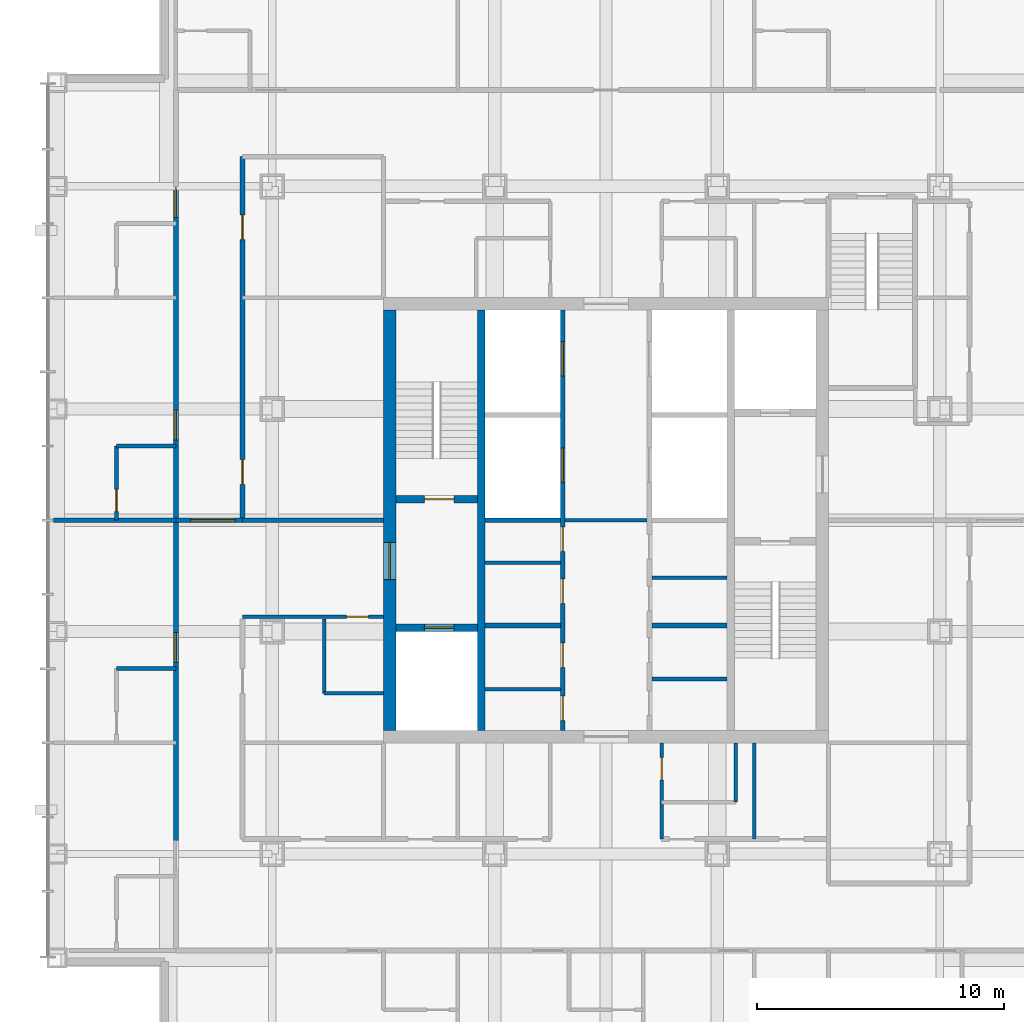
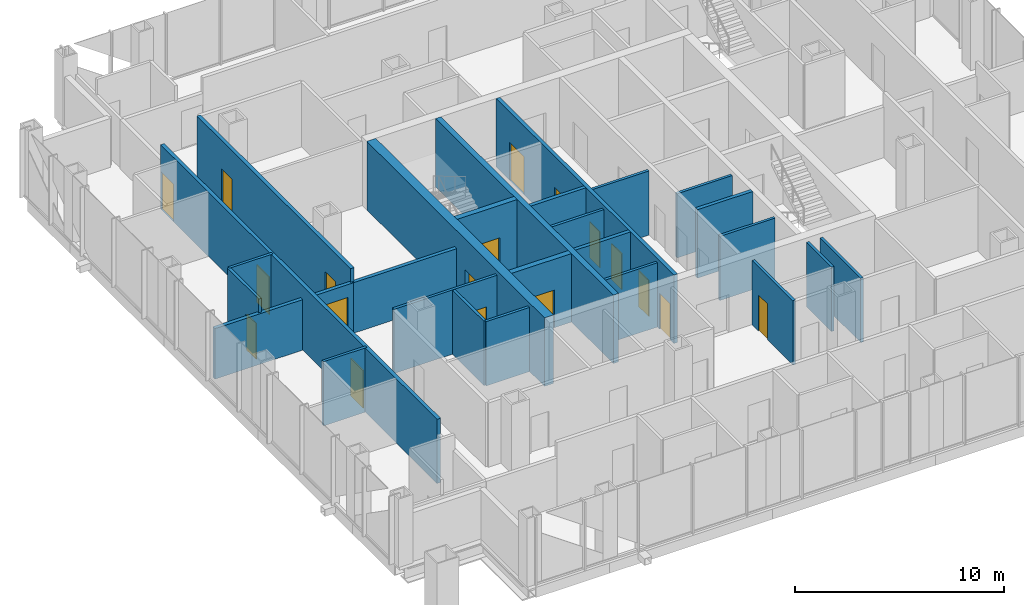
# One storey, part 7 of 11: 27 walls, 18 doors, 18 openings.
"""IFC4 building model written with IfcOpenShell, lengths in metres."""

from ifc_helpers import new_model, si_unit, direction, frame, frame_2d, origin, place, context, subcontext, project, spatial, rectangle, extrude, material, layer, layer_set, type_object, element, fill, save


model = new_model("IFC4")

# Units and contexts
model_context = context("Model", 3, precision=1e-05, world=origin(), true_north=direction((0.0, 1.0)))
body_context = subcontext(model_context, "Body", "Model", "MODEL_VIEW")
ifc_project = project(units=[si_unit("LENGTHUNIT", "METRE"), si_unit("AREAUNIT", "SQUARE_METRE"), si_unit("VOLUMEUNIT", "CUBIC_METRE"), si_unit("PLANEANGLEUNIT", "RADIAN"), si_unit("MASSUNIT", "GRAM", prefix="KILO")], contexts=[model_context])

# Site, building, storey
site_placement = place(None, origin())
site = spatial("IfcSite", under=ifc_project, at=site_placement, CompositionType="ELEMENT")
building_placement = place(site_placement, origin())
building = spatial("IfcBuilding", under=site, at=building_placement, Name="Malebo Sky Hospital", CompositionType="ELEMENT")
storey_placement = place(building_placement, frame((0.0, 0.0, 201.0)))
storey = spatial("IfcBuildingStorey", under=building, at=storey_placement, Name="L48", CompositionType="ELEMENT", Elevation=201.0)

# Wall, openings, doors
ifc_material_1 = material(Name="Concrete C80/95", Category="concrete")
ifc_layer_1 = layer(ifc_material_1, 0.199951171875)
ifc_layer_set_1 = layer_set([ifc_layer_1], Name="CORE INNER WALL 200")
wall_type_1 = type_object("IfcWallType", Name="CORE INNER WALL 200", PredefinedType="SHEAR", material=ifc_layer_set_1)
wall_1_placement = place(storey_placement, frame((58.25, 53.5, 0.0), z_axis=(0.0, 0.0, 1.0), x_axis=(0.0, 1.0, 0.0)))
wall_1 = element("IfcWall", 1, at=wall_1_placement, inside=storey, type_object=wall_type_1, Name="Core wall LW L48", PredefinedType="SHEAR", context=body_context, shape_type="SweptSolid", body=[
    extrude(rectangle(XDim=17.0, YDim=0.199951171875, at=frame_2d((8.5, 0.0))), origin(), (0.0, 0.0, 1.0), 4.0),
])
opening_1_placement = place(wall_1_placement, frame((0.392578125, 0.0, 0.0)))
opening_1 = element("IfcOpeningElement", 2, at=opening_1_placement, cuts=wall_1, Name="Opening D17", PredefinedType="OPENING", context=body_context, shape_type="SweptSolid", body=[
    extrude(rectangle(XDim=1.0, YDim=2.10009765625, at=frame_2d((0.5, 1.050048828125))), frame((0.0, 0.10986328125, 0.0), z_axis=(0.0, -1.0, 0.0), x_axis=(1.0, 0.0, 0.0)), (0.0, 0.0, 1.0), 0.219970703125),
])
opening_2_placement = place(wall_1_placement, frame((2.54248046875, 0.0, 0.0)))
opening_2 = element("IfcOpeningElement", 3, at=opening_2_placement, cuts=wall_1, Name="Opening D17", PredefinedType="OPENING", context=body_context, shape_type="SweptSolid", body=[
    extrude(rectangle(XDim=1.0, YDim=2.10009765625, at=frame_2d((0.5, 1.050048828125))), frame((0.0, 0.10986328125, 0.0), z_axis=(0.0, -1.0, 0.0), x_axis=(1.0, 0.0, 0.0)), (0.0, 0.0, 1.0), 0.219970703125),
])
opening_3_placement = place(wall_1_placement, frame((5.12744140625, 0.0, 0.0)))
opening_3 = element("IfcOpeningElement", 4, at=opening_3_placement, cuts=wall_1, Name="Opening D17", PredefinedType="OPENING", context=body_context, shape_type="SweptSolid", body=[
    extrude(rectangle(XDim=1.0, YDim=2.10009765625, at=frame_2d((0.5, 1.050048828125))), frame((0.0, 0.10986328125, 0.0), z_axis=(0.0, -1.0, 0.0), x_axis=(1.0, 0.0, 0.0)), (0.0, 0.0, 1.0), 0.219970703125),
])
opening_4_placement = place(wall_1_placement, frame((7.2275390625, 0.0, 0.0)))
opening_4 = element("IfcOpeningElement", 5, at=opening_4_placement, cuts=wall_1, Name="Opening D17", PredefinedType="OPENING", context=body_context, shape_type="SweptSolid", body=[
    extrude(rectangle(XDim=1.0, YDim=2.10009765625, at=frame_2d((0.5, 1.050048828125))), frame((0.0, 0.10986328125, 0.0), z_axis=(0.0, -1.0, 0.0), x_axis=(1.0, 0.0, 0.0)), (0.0, 0.0, 1.0), 0.219970703125),
])
opening_5_placement = place(wall_1_placement, frame((10.02490234375, 0.0, 0.0)))
opening_5 = element("IfcOpeningElement", 6, at=opening_5_placement, cuts=wall_1, Name="Opening LD1", PredefinedType="OPENING", context=body_context, shape_type="SweptSolid", body=[
    extrude(rectangle(XDim=1.39990234375, YDim=2.199951171875, at=frame_2d((0.699951171875, 1.10009765625))), frame((0.0, 0.10986328125, 0.0), z_axis=(0.0, -1.0, 0.0), x_axis=(1.0, 0.0, 0.0)), (0.0, 0.0, 1.0), 0.219970703125),
])
opening_6_placement = place(wall_1_placement, frame((14.324951171875, 0.0, 0.0)))
opening_6 = element("IfcOpeningElement", 7, at=opening_6_placement, cuts=wall_1, Name="Opening LD1", PredefinedType="OPENING", context=body_context, shape_type="SweptSolid", body=[
    extrude(rectangle(XDim=1.39990234375, YDim=2.199951171875, at=frame_2d((0.699951171875, 1.10009765625))), frame((0.0, 0.10986328125, 0.0), z_axis=(0.0, -1.0, 0.0), x_axis=(1.0, 0.0, 0.0)), (0.0, 0.0, 1.0), 0.219970703125),
])
ifc_material_2 = material(Name="Hardwood-faced door leaf in steel frame", Category="steel")
door_type_1 = type_object("IfcDoorType", Name="FIRE DOOR 1000", OperationType="SINGLE_SWING_LEFT", PredefinedType="DOOR", material=ifc_material_2)
door_1_placement = place(opening_1_placement, origin())
door_1 = element("IfcDoor", 8, at=door_1_placement, inside=storey, type_object=door_type_1, Name="General store door", OperationType="SINGLE_SWING_RIGHT", OverallHeight=2.10009765625, OverallWidth=1.0, PredefinedType="DOOR", context=body_context, shape_type="SweptSolid", body=[
    extrude(rectangle(XDim=1.0, YDim=2.10009765625, at=frame_2d((0.5, 1.050048828125))), frame((0.0, 0.02490234375, 0.0), z_axis=(0.0, -1.0, 0.0), x_axis=(1.0, 0.0, 0.0)), (0.0, 0.0, 1.0), 0.050048828125),
])
fill(opening_1, door_1)
door_2_placement = place(opening_2_placement, origin())
door_2 = element("IfcDoor", 9, at=door_2_placement, inside=storey, type_object=door_type_1, Name="Records store door", OperationType="SINGLE_SWING_RIGHT", OverallHeight=2.10009765625, OverallWidth=1.0, PredefinedType="DOOR", context=body_context, shape_type="SweptSolid", body=[
    extrude(rectangle(XDim=1.0, YDim=2.10009765625, at=frame_2d((0.5, 1.050048828125))), frame((0.0, 0.02490234375, 0.0), z_axis=(0.0, -1.0, 0.0), x_axis=(1.0, 0.0, 0.0)), (0.0, 0.0, 1.0), 0.050048828125),
])
fill(opening_2, door_2)
door_3_placement = place(opening_3_placement, origin())
door_3 = element("IfcDoor", 10, at=door_3_placement, inside=storey, type_object=door_type_1, Name="Equipment store door", OperationType="SINGLE_SWING_RIGHT", OverallHeight=2.10009765625, OverallWidth=1.0, PredefinedType="DOOR", context=body_context, shape_type="SweptSolid", body=[
    extrude(rectangle(XDim=1.0, YDim=2.10009765625, at=frame_2d((0.5, 1.050048828125))), frame((0.0, 0.02490234375, 0.0), z_axis=(0.0, -1.0, 0.0), x_axis=(1.0, 0.0, 0.0)), (0.0, 0.0, 1.0), 0.050048828125),
])
fill(opening_3, door_3)
door_4_placement = place(opening_4_placement, origin())
door_4 = element("IfcDoor", 11, at=door_4_placement, inside=storey, type_object=door_type_1, Name="Linen store door", OperationType="SINGLE_SWING_RIGHT", OverallHeight=2.10009765625, OverallWidth=1.0, PredefinedType="DOOR", context=body_context, shape_type="SweptSolid", body=[
    extrude(rectangle(XDim=1.0, YDim=2.10009765625, at=frame_2d((0.5, 1.050048828125))), frame((0.0, 0.02490234375, 0.0), z_axis=(0.0, -1.0, 0.0), x_axis=(1.0, 0.0, 0.0)), (0.0, 0.0, 1.0), 0.050048828125),
])
fill(opening_4, door_4)
ifc_material_3 = material(Name="Stainless steel sliding landing door", Category="steel")
door_type_2 = type_object("IfcDoorType", Name="LIFT LANDING DOOR 1400", OperationType="SLIDING_TO_LEFT", PredefinedType="DOOR", material=ifc_material_3)
door_5_placement = place(opening_5_placement, origin())
door_5 = element("IfcDoor", 12, at=door_5_placement, inside=storey, type_object=door_type_2, Name="Lift W3 landing door", OperationType="SLIDING_TO_LEFT", OverallHeight=2.199951171875, OverallWidth=1.39990234375, PredefinedType="DOOR", context=body_context, shape_type="SweptSolid", body=[
    extrude(rectangle(XDim=1.39990234375, YDim=2.199951171875, at=frame_2d((0.699951171875, 1.10009765625))), frame((0.0, 0.02490234375, 0.0), z_axis=(0.0, -1.0, 0.0), x_axis=(1.0, 0.0, 0.0)), (0.0, 0.0, 1.0), 0.050048828125),
])
fill(opening_5, door_5)
door_6_placement = place(opening_6_placement, origin())
door_6 = element("IfcDoor", 13, at=door_6_placement, inside=storey, type_object=door_type_2, Name="Lift W4 landing door", OperationType="SLIDING_TO_LEFT", OverallHeight=2.199951171875, OverallWidth=1.39990234375, PredefinedType="DOOR", context=body_context, shape_type="SweptSolid", body=[
    extrude(rectangle(XDim=1.39990234375, YDim=2.199951171875, at=frame_2d((0.699951171875, 1.10009765625))), frame((0.0, 0.02490234375, 0.0), z_axis=(0.0, -1.0, 0.0), x_axis=(1.0, 0.0, 0.0)), (0.0, 0.0, 1.0), 0.050048828125),
])
fill(opening_6, door_6)

# Walls
for number, where, z_axis, x_axis, name in (
    (14, (55.10009765625, 57.75, 0.0), (0.0, 0.0, 1.0), (1.0, 0.0, 0.0), "Core wall SW0 L48"),
    (15, (61.85009765625, 57.75, 0.0), (0.0, 0.0, 1.0), (1.0, 0.0, 0.0), "Core wall SE0 L48"),
    (16, (55.10009765625, 62.0, 0.0), (0.0, 0.0, 1.0), (1.0, 0.0, 0.0), "Core wall SW1 L48"),
):
    element("IfcWall", number, at=place(storey_placement, frame(where, z_axis=z_axis, x_axis=x_axis)), inside=storey, type_object=wall_type_1, Name=name, PredefinedType="SHEAR", context=body_context, shape_type="SweptSolid", body=[
        extrude(rectangle(XDim=3.0498046875, YDim=0.199951171875, at=frame_2d((1.52490234375, 0.0))), origin(), (0.0, 0.0, 1.0), 4.0),
    ])
ifc_layer_2 = layer(ifc_material_1, 0.300048828125)
ifc_layer_set_2 = layer_set([ifc_layer_2], Name="CORE INNER WALL 300")
wall_type_2 = type_object("IfcWallType", Name="CORE INNER WALL 300", PredefinedType="SHEAR", material=ifc_layer_set_2)
wall_2_placement = place(storey_placement, frame((54.949951171875, 53.5, 0.0), z_axis=(0.0, 0.0, 1.0), x_axis=(0.0, 1.0, 0.0)))
element("IfcWall", 17, at=wall_2_placement, inside=storey, type_object=wall_type_2, Name="Core wall XW L48", PredefinedType="SHEAR", context=body_context, shape_type="SweptSolid", body=[
    extrude(rectangle(XDim=17.0, YDim=0.300048828125, at=frame_2d((8.5, 0.0))), origin(), (0.0, 0.0, 1.0), 4.0),
])

# Wall, opening, door
wall_3_placement = place(storey_placement, frame((51.5, 62.85009765625, 0.0), z_axis=(0.0, 0.0, 1.0), x_axis=(1.0, 0.0, 0.0)))
wall_3 = element("IfcWall", 18, at=wall_3_placement, inside=storey, type_object=wall_type_2, Name="Core wall W1 L48", PredefinedType="SHEAR", context=body_context, shape_type="SweptSolid", body=[
    extrude(rectangle(XDim=3.300048828125, YDim=0.300048828125, at=frame_2d((1.64990234375, 0.0))), origin(), (0.0, 0.0, 1.0), 4.0),
])
opening_7_placement = place(wall_3_placement, frame((1.14990234375, 0.0, 0.0)))
opening_7 = element("IfcOpeningElement", 19, at=opening_7_placement, cuts=wall_3, Name="Opening D08", PredefinedType="OPENING", context=body_context, shape_type="SweptSolid", body=[
    extrude(rectangle(XDim=1.199951171875, YDim=2.10009765625, at=frame_2d((0.60009765625, 1.050048828125))), frame((0.0, 0.159912109375, 0.0), z_axis=(0.0, -1.0, 0.0), x_axis=(1.0, 0.0, 0.0)), (0.0, 0.0, 1.0), 0.320068359375),
])
door_type_3 = type_object("IfcDoorType", Name="STAIR DOOR 1200", OperationType="SINGLE_SWING_LEFT", PredefinedType="DOOR", material=ifc_material_2)
door_7_placement = place(opening_7_placement, origin())
door_7 = element("IfcDoor", 20, at=door_7_placement, inside=storey, type_object=door_type_3, Name="Stair S1 door", OperationType="SINGLE_SWING_RIGHT", OverallHeight=2.10009765625, OverallWidth=1.199951171875, PredefinedType="DOOR", context=body_context, shape_type="SweptSolid", body=[
    extrude(rectangle(XDim=1.199951171875, YDim=2.10009765625, at=frame_2d((0.60009765625, 1.050048828125))), frame((0.0, 0.02490234375, 0.0), z_axis=(0.0, -1.0, 0.0), x_axis=(1.0, 0.0, 0.0)), (0.0, 0.0, 1.0), 0.050048828125),
])
fill(opening_7, door_7)

wall_4_placement = place(storey_placement, frame((51.5, 57.64990234375, 0.0), z_axis=(0.0, 0.0, 1.0), x_axis=(1.0, 0.0, 0.0)))
wall_4 = element("IfcWall", 21, at=wall_4_placement, inside=storey, type_object=wall_type_2, Name="Core wall W2 L48", PredefinedType="SHEAR", context=body_context, shape_type="SweptSolid", body=[
    extrude(rectangle(XDim=3.300048828125, YDim=0.300048828125, at=frame_2d((1.64990234375, 0.0))), origin(), (0.0, 0.0, 1.0), 4.0),
])
opening_8_placement = place(wall_4_placement, frame((1.14990234375, 0.0, 0.0)))
opening_8 = element("IfcOpeningElement", 22, at=opening_8_placement, cuts=wall_4, Name="Opening LD2", PredefinedType="OPENING", context=body_context, shape_type="SweptSolid", body=[
    extrude(rectangle(XDim=1.199951171875, YDim=2.199951171875, at=frame_2d((0.60009765625, 1.10009765625))), frame((0.0, 0.159912109375, 0.0), z_axis=(0.0, -1.0, 0.0), x_axis=(1.0, 0.0, 0.0)), (0.0, 0.0, 1.0), 0.320068359375),
])
door_type_4 = type_object("IfcDoorType", Name="FIRE-FIGHTING LIFT LANDING DOOR 1200", OperationType="SLIDING_TO_LEFT", PredefinedType="DOOR", material=ifc_material_3)
door_8_placement = place(opening_8_placement, origin())
door_8 = element("IfcDoor", 23, at=door_8_placement, inside=storey, type_object=door_type_4, Name="Lift FL1 landing door", OperationType="SLIDING_TO_LEFT", OverallHeight=2.199951171875, OverallWidth=1.199951171875, PredefinedType="DOOR", context=body_context, shape_type="SweptSolid", body=[
    extrude(rectangle(XDim=1.199951171875, YDim=2.199951171875, at=frame_2d((0.60009765625, 1.10009765625))), frame((0.0, 0.02490234375, 0.0), z_axis=(0.0, -1.0, 0.0), x_axis=(1.0, 0.0, 0.0)), (0.0, 0.0, 1.0), 0.050048828125),
])
fill(opening_8, door_8)

ifc_layer_3 = layer(ifc_material_1, 0.5)
ifc_layer_set_3 = layer_set([ifc_layer_3], Name="CORE WALL 500")
wall_type_3 = type_object("IfcWallType", Name="CORE WALL 500", PredefinedType="SHEAR", material=ifc_layer_set_3)
wall_5_placement = place(storey_placement, frame((51.25, 53.5, 0.0), z_axis=(0.0, 0.0, 1.0), x_axis=(0.0, 1.0, 0.0)))
wall_5 = element("IfcWall", 24, at=wall_5_placement, inside=storey, type_object=wall_type_3, Name="Core wall W L48", PredefinedType="SHEAR", context=body_context, shape_type="SweptSolid", body=[
    extrude(rectangle(XDim=17.0, YDim=0.5, at=frame_2d((8.5, 0.0))), origin(), (0.0, 0.0, 1.0), 4.0),
])
opening_9_placement = place(wall_5_placement, frame((6.10009765625, 0.0, 0.0)))
opening_9 = element("IfcOpeningElement", 25, at=opening_9_placement, cuts=wall_5, Name="Opening D07", PredefinedType="OPENING", context=body_context, shape_type="SweptSolid", body=[
    extrude(rectangle(XDim=1.5, YDim=2.199951171875, at=frame_2d((0.75, 1.10009765625))), frame((0.0, 0.260009765625, 0.0), z_axis=(0.0, -1.0, 0.0), x_axis=(1.0, 0.0, 0.0)), (0.0, 0.0, 1.0), 0.52001953125),
])
door_type_5 = type_object("IfcDoorType", Name="FIRE-FIGHTING LOBBY DOOR PAIR 1500", OperationType="DOUBLE_DOOR_SINGLE_SWING", PredefinedType="DOOR", material=ifc_material_2)
door_9_placement = place(opening_9_placement, origin())
door_9 = element("IfcDoor", 26, at=door_9_placement, inside=storey, type_object=door_type_5, Name="Fire-fighting lobby door west", OperationType="DOUBLE_DOOR_SINGLE_SWING", OverallHeight=2.199951171875, OverallWidth=1.5, PredefinedType="DOOR", context=body_context, shape_type="SweptSolid", body=[
    extrude(rectangle(XDim=1.5, YDim=2.199951171875, at=frame_2d((0.75, 1.10009765625))), frame((0.0, 0.02490234375, 0.0), z_axis=(0.0, -1.0, 0.0), x_axis=(1.0, 0.0, 0.0)), (0.0, 0.0, 1.0), 0.050048828125),
])
fill(opening_9, door_9)

# Wall, openings, doors
ifc_material_4 = material(Name="Gypsum board on steel studs", Category="steel")
ifc_layer_4 = layer(ifc_material_4, 0.199951171875)
ifc_layer_set_4 = layer_set([ifc_layer_4], Name="CORRIDOR WALL 200")
wall_type_4 = type_object("IfcWallType", Name="CORRIDOR WALL 200", PredefinedType="PARTITIONING", material=ifc_layer_set_4)
wall_6_placement = place(storey_placement, frame((42.60009765625, 49.050048828125, 0.0), z_axis=(0.0, 0.0, 1.0), x_axis=(0.0, 1.0, 0.0)))
wall_6 = element("IfcWall", 27, at=wall_6_placement, inside=storey, type_object=wall_type_4, Name="Corridor Wall 200 WCO", PredefinedType="PARTITIONING", context=body_context, shape_type="SweptSolid", body=[
    extrude(rectangle(XDim=26.449951171875, YDim=0.199951171875, at=frame_2d((13.22509765625, 0.0))), origin(), (0.0, 0.0, 1.0), 3.75),
])
opening_10_placement = place(wall_6_placement, frame((7.199951171875, 0.0, 0.0)))
opening_10 = element("IfcOpeningElement", 28, at=opening_10_placement, cuts=wall_6, Name="Opening D01", PredefinedType="OPENING", context=body_context, shape_type="SweptSolid", body=[
    extrude(rectangle(XDim=1.199951171875, YDim=2.199951171875, at=frame_2d((0.60009765625, 1.10009765625))), frame((0.0, 0.10986328125, 0.0), z_axis=(0.0, -1.0, 0.0), x_axis=(1.0, 0.0, 0.0)), (0.0, 0.0, 1.0), 0.219970703125),
])
opening_11_placement = place(wall_6_placement, frame((16.199951171875, 0.0, 0.0)))
opening_11 = element("IfcOpeningElement", 29, at=opening_11_placement, cuts=wall_6, Name="Opening D01", PredefinedType="OPENING", context=body_context, shape_type="SweptSolid", body=[
    extrude(rectangle(XDim=1.199951171875, YDim=2.199951171875, at=frame_2d((0.60009765625, 1.10009765625))), frame((0.0, 0.10986328125, 0.0), z_axis=(0.0, -1.0, 0.0), x_axis=(1.0, 0.0, 0.0)), (0.0, 0.0, 1.0), 0.219970703125),
])
opening_12_placement = place(wall_6_placement, frame((25.199951171875, 0.0, 0.0)))
opening_12 = element("IfcOpeningElement", 30, at=opening_12_placement, cuts=wall_6, Name="Opening D01", PredefinedType="OPENING", context=body_context, shape_type="SweptSolid", body=[
    extrude(rectangle(XDim=1.199951171875, YDim=2.199951171875, at=frame_2d((0.60009765625, 1.10009765625))), frame((0.0, 0.10986328125, 0.0), z_axis=(0.0, -1.0, 0.0), x_axis=(1.0, 0.0, 0.0)), (0.0, 0.0, 1.0), 0.219970703125),
])
door_type_6 = type_object("IfcDoorType", Name="BED DOOR 1200", OperationType="SINGLE_SWING_LEFT", PredefinedType="DOOR", material=ifc_material_2)
door_10_placement = place(opening_10_placement, origin())
door_10 = element("IfcDoor", 31, at=door_10_placement, inside=storey, type_object=door_type_6, Name="Birthing room door", OperationType="SINGLE_SWING_LEFT", OverallHeight=2.199951171875, OverallWidth=1.199951171875, PredefinedType="DOOR", context=body_context, shape_type="SweptSolid", body=[
    extrude(rectangle(XDim=1.199951171875, YDim=2.199951171875, at=frame_2d((0.60009765625, 1.10009765625))), frame((0.0, 0.02490234375, 0.0), z_axis=(0.0, -1.0, 0.0), x_axis=(1.0, 0.0, 0.0)), (0.0, 0.0, 1.0), 0.050048828125),
])
fill(opening_10, door_10)
door_11_placement = place(opening_11_placement, origin())
door_11 = element("IfcDoor", 32, at=door_11_placement, inside=storey, type_object=door_type_6, Name="Birthing room door", OperationType="SINGLE_SWING_LEFT", OverallHeight=2.199951171875, OverallWidth=1.199951171875, PredefinedType="DOOR", context=body_context, shape_type="SweptSolid", body=[
    extrude(rectangle(XDim=1.199951171875, YDim=2.199951171875, at=frame_2d((0.60009765625, 1.10009765625))), frame((0.0, 0.02490234375, 0.0), z_axis=(0.0, -1.0, 0.0), x_axis=(1.0, 0.0, 0.0)), (0.0, 0.0, 1.0), 0.050048828125),
])
fill(opening_11, door_11)
door_12_placement = place(opening_12_placement, origin())
door_12 = element("IfcDoor", 33, at=door_12_placement, inside=storey, type_object=door_type_6, Name="Birthing room door", OperationType="SINGLE_SWING_LEFT", OverallHeight=2.199951171875, OverallWidth=1.199951171875, PredefinedType="DOOR", context=body_context, shape_type="SweptSolid", body=[
    extrude(rectangle(XDim=1.199951171875, YDim=2.199951171875, at=frame_2d((0.60009765625, 1.10009765625))), frame((0.0, 0.02490234375, 0.0), z_axis=(0.0, -1.0, 0.0), x_axis=(1.0, 0.0, 0.0)), (0.0, 0.0, 1.0), 0.050048828125),
])
fill(opening_12, door_12)

wall_7_placement = place(storey_placement, frame((45.300048828125, 62.0, 0.0), z_axis=(0.0, 0.0, 1.0), x_axis=(0.0, 1.0, 0.0)))
wall_7 = element("IfcWall", 34, at=wall_7_placement, inside=storey, type_object=wall_type_4, Name="Corridor Wall 200 WCI2", PredefinedType="PARTITIONING", context=body_context, shape_type="SweptSolid", body=[
    extrude(rectangle(XDim=14.699951171875, YDim=0.199951171875, at=frame_2d((7.35009765625, 0.0))), origin(), (0.0, 0.0, 1.0), 3.75),
])
opening_13_placement = place(wall_7_placement, frame((1.449951171875, 0.0, 0.0)))
opening_13 = element("IfcOpeningElement", 35, at=opening_13_placement, cuts=wall_7, Name="Opening D03", PredefinedType="OPENING", context=body_context, shape_type="SweptSolid", body=[
    extrude(rectangle(XDim=1.0, YDim=2.10009765625, at=frame_2d((0.5, 1.050048828125))), frame((0.0, 0.10986328125, 0.0), z_axis=(0.0, -1.0, 0.0), x_axis=(1.0, 0.0, 0.0)), (0.0, 0.0, 1.0), 0.219970703125),
])
opening_14_placement = place(wall_7_placement, frame((11.35009765625, 0.0, 0.0)))
opening_14 = element("IfcOpeningElement", 36, at=opening_14_placement, cuts=wall_7, Name="Opening D03", PredefinedType="OPENING", context=body_context, shape_type="SweptSolid", body=[
    extrude(rectangle(XDim=1.0, YDim=2.10009765625, at=frame_2d((0.5, 1.050048828125))), frame((0.0, 0.10986328125, 0.0), z_axis=(0.0, -1.0, 0.0), x_axis=(1.0, 0.0, 0.0)), (0.0, 0.0, 1.0), 0.219970703125),
])
door_type_7 = type_object("IfcDoorType", Name="ROOM DOOR 1000", OperationType="SINGLE_SWING_LEFT", PredefinedType="DOOR", material=ifc_material_2)
door_13_placement = place(opening_13_placement, origin())
door_13 = element("IfcDoor", 37, at=door_13_placement, inside=storey, type_object=door_type_7, Name="Nurse station door", OperationType="SINGLE_SWING_LEFT", OverallHeight=2.10009765625, OverallWidth=1.0, PredefinedType="DOOR", context=body_context, shape_type="SweptSolid", body=[
    extrude(rectangle(XDim=1.0, YDim=2.10009765625, at=frame_2d((0.5, 1.050048828125))), frame((0.0, 0.02490234375, 0.0), z_axis=(0.0, -1.0, 0.0), x_axis=(1.0, 0.0, 0.0)), (0.0, 0.0, 1.0), 0.050048828125),
])
fill(opening_13, door_13)
door_14_placement = place(opening_14_placement, origin())
door_14 = element("IfcDoor", 38, at=door_14_placement, inside=storey, type_object=door_type_7, Name="Midwives' base door", OperationType="SINGLE_SWING_RIGHT", OverallHeight=2.10009765625, OverallWidth=1.0, PredefinedType="DOOR", context=body_context, shape_type="SweptSolid", body=[
    extrude(rectangle(XDim=1.0, YDim=2.10009765625, at=frame_2d((0.5, 1.050048828125))), frame((0.0, 0.02490234375, 0.0), z_axis=(0.0, -1.0, 0.0), x_axis=(1.0, 0.0, 0.0)), (0.0, 0.0, 1.0), 0.050048828125),
])
fill(opening_14, door_14)

# Wall
ifc_layer_5 = layer(ifc_material_4, 0.14990234375)
ifc_layer_set_5 = layer_set([ifc_layer_5], Name="PARTITION 150")
wall_type_5 = type_object("IfcWallType", Name="PARTITION 150", PredefinedType="PARTITIONING", material=ifc_layer_set_5)
wall_8_placement = place(storey_placement, frame((42.60009765625, 56.0, 0.0), z_axis=(0.0, 0.0, 1.0), x_axis=(-1.0, 0.0, 0.0)))
element("IfcWall", 39, at=wall_8_placement, inside=storey, type_object=wall_type_5, Name="Partition 150 WE1S", PredefinedType="PARTITIONING", context=body_context, shape_type="SweptSolid", body=[
    extrude(rectangle(XDim=2.400146484375, YDim=0.14990234375, at=frame_2d((1.2001953125, 0.0))), origin(), (0.0, 0.0, 1.0), 3.75),
])

# Wall, opening, door
wall_9_placement = place(storey_placement, frame((40.199951171875, 62.0, 0.0), z_axis=(0.0, 0.0, 1.0), x_axis=(0.0, 1.0, 0.0)))
wall_9 = element("IfcWall", 40, at=wall_9_placement, inside=storey, type_object=wall_type_5, Name="Partition 150 WE2F", PredefinedType="PARTITIONING", context=body_context, shape_type="SweptSolid", body=[
    extrude(rectangle(XDim=3.0, YDim=0.14990234375, at=frame_2d((1.5, 0.0))), origin(), (0.0, 0.0, 1.0), 3.75),
])
opening_15_placement = place(wall_9_placement, frame((0.35009765625, 0.0, 0.0)))
opening_15 = element("IfcOpeningElement", 41, at=opening_15_placement, cuts=wall_9, Name="Opening D02", PredefinedType="OPENING", context=body_context, shape_type="SweptSolid", body=[
    extrude(rectangle(XDim=0.89990234375, YDim=2.10009765625, at=frame_2d((0.449951171875, 1.050048828125))), frame((0.0, 0.0849609375, 0.0), z_axis=(0.0, -1.0, 0.0), x_axis=(1.0, 0.0, 0.0)), (0.0, 0.0, 1.0), 0.169921875),
])
door_type_8 = type_object("IfcDoorType", Name="EN-SUITE DOOR 900", OperationType="SINGLE_SWING_LEFT", PredefinedType="DOOR", material=ifc_material_2)
door_15_placement = place(opening_15_placement, origin())
door_15 = element("IfcDoor", 42, at=door_15_placement, inside=storey, type_object=door_type_8, Name="En-suite door", OperationType="SINGLE_SWING_LEFT", OverallHeight=2.10009765625, OverallWidth=0.89990234375, PredefinedType="DOOR", context=body_context, shape_type="SweptSolid", body=[
    extrude(rectangle(XDim=0.89990234375, YDim=2.10009765625, at=frame_2d((0.449951171875, 1.050048828125))), frame((0.0, 0.02490234375, 0.0), z_axis=(0.0, -1.0, 0.0), x_axis=(1.0, 0.0, 0.0)), (0.0, 0.0, 1.0), 0.050048828125),
])
fill(opening_15, door_15)

# Wall
wall_10_placement = place(storey_placement, frame((42.60009765625, 65.0, 0.0), z_axis=(0.0, 0.0, 1.0), x_axis=(-1.0, 0.0, 0.0)))
element("IfcWall", 43, at=wall_10_placement, inside=storey, type_object=wall_type_5, Name="Partition 150 WE2S", PredefinedType="PARTITIONING", context=body_context, shape_type="SweptSolid", body=[
    extrude(rectangle(XDim=2.400146484375, YDim=0.14990234375, at=frame_2d((1.2001953125, 0.0))), origin(), (0.0, 0.0, 1.0), 3.75),
])

# Wall, opening, door
wall_11_placement = place(storey_placement, frame((51.0, 58.10009765625, 0.0), z_axis=(0.0, 0.0, 1.0), x_axis=(-1.0, 0.0, 0.0)))
wall_11 = element("IfcWall", 44, at=wall_11_placement, inside=storey, type_object=wall_type_5, Name="Partition 150 WSPA", PredefinedType="PARTITIONING", context=body_context, shape_type="SweptSolid", body=[
    extrude(rectangle(XDim=5.699951171875, YDim=0.14990234375, at=frame_2d((2.85009765625, 0.0))), origin(), (0.0, 0.0, 1.0), 3.75),
])
opening_16_placement = place(wall_11_placement, frame((0.60009765625, 0.0, 0.0)))
opening_16 = element("IfcOpeningElement", 45, at=opening_16_placement, cuts=wall_11, Name="Opening D04", PredefinedType="OPENING", context=body_context, shape_type="SweptSolid", body=[
    extrude(rectangle(XDim=0.89990234375, YDim=2.10009765625, at=frame_2d((0.449951171875, 1.050048828125))), frame((0.0, 0.0849609375, 0.0), z_axis=(0.0, -1.0, 0.0), x_axis=(1.0, 0.0, 0.0)), (0.0, 0.0, 1.0), 0.169921875),
])
door_type_9 = type_object("IfcDoorType", Name="ROOM DOOR 900", OperationType="SINGLE_SWING_LEFT", PredefinedType="DOOR", material=ifc_material_2)
door_16_placement = place(opening_16_placement, origin())
door_16 = element("IfcDoor", 46, at=door_16_placement, inside=storey, type_object=door_type_9, Name="Cleaner's room door", OperationType="SINGLE_SWING_LEFT", OverallHeight=2.10009765625, OverallWidth=0.89990234375, PredefinedType="DOOR", context=body_context, shape_type="SweptSolid", body=[
    extrude(rectangle(XDim=0.89990234375, YDim=2.10009765625, at=frame_2d((0.449951171875, 1.050048828125))), frame((0.0, 0.02490234375, 0.0), z_axis=(0.0, -1.0, 0.0), x_axis=(1.0, 0.0, 0.0)), (0.0, 0.0, 1.0), 0.050048828125),
])
fill(opening_16, door_16)

# Walls
wall_12_placement = place(storey_placement, frame((48.60009765625, 55.0, 0.0), z_axis=(0.0, 0.0, 1.0), x_axis=(0.0, 1.0, 0.0)))
element("IfcWall", 47, at=wall_12_placement, inside=storey, type_object=wall_type_5, Name="Partition 150 WSX0", PredefinedType="PARTITIONING", context=body_context, shape_type="SweptSolid", body=[
    extrude(rectangle(XDim=3.0, YDim=0.14990234375, at=frame_2d((1.5, 0.0))), origin(), (0.0, 0.0, 1.0), 3.75),
])
wall_13_placement = place(storey_placement, frame((51.0, 55.0, 0.0), z_axis=(0.0, 0.0, 1.0), x_axis=(-1.0, 0.0, 0.0)))
element("IfcWall", 48, at=wall_13_placement, inside=storey, type_object=wall_type_5, Name="Partition 150 WSY0", PredefinedType="PARTITIONING", context=body_context, shape_type="SweptSolid", body=[
    extrude(rectangle(XDim=2.39990234375, YDim=0.14990234375, at=frame_2d((1.199951171875, 0.0))), origin(), (0.0, 0.0, 1.0), 3.75),
])

# Wall, opening, door
wall_14_placement = place(storey_placement, frame((62.25, 53.0, 0.0), z_axis=(0.0, 0.0, 1.0), x_axis=(0.0, -1.0, 0.0)))
wall_14 = element("IfcWall", 49, at=wall_14_placement, inside=storey, type_object=wall_type_5, Name="Partition 150 SSPA", PredefinedType="PARTITIONING", context=body_context, shape_type="SweptSolid", body=[
    extrude(rectangle(XDim=3.89990234375, YDim=0.14990234375, at=frame_2d((1.949951171875, 0.0))), origin(), (0.0, 0.0, 1.0), 3.75),
])
opening_17_placement = place(wall_14_placement, frame((0.60009765625, 0.0, 0.0)))
opening_17 = element("IfcOpeningElement", 50, at=opening_17_placement, cuts=wall_14, Name="Opening D04", PredefinedType="OPENING", context=body_context, shape_type="SweptSolid", body=[
    extrude(rectangle(XDim=0.89990234375, YDim=2.10009765625, at=frame_2d((0.449951171875, 1.050048828125))), frame((0.0, 0.0849609375, 0.0), z_axis=(0.0, -1.0, 0.0), x_axis=(1.0, 0.0, 0.0)), (0.0, 0.0, 1.0), 0.169921875),
])
door_17_placement = place(opening_17_placement, origin())
door_17 = element("IfcDoor", 51, at=door_17_placement, inside=storey, type_object=door_type_9, Name="Visitor WC door", OperationType="SINGLE_SWING_LEFT", OverallHeight=2.10009765625, OverallWidth=0.89990234375, PredefinedType="DOOR", context=body_context, shape_type="SweptSolid", body=[
    extrude(rectangle(XDim=0.89990234375, YDim=2.10009765625, at=frame_2d((0.449951171875, 1.050048828125))), frame((0.0, 0.02490234375, 0.0), z_axis=(0.0, -1.0, 0.0), x_axis=(1.0, 0.0, 0.0)), (0.0, 0.0, 1.0), 0.050048828125),
])
fill(opening_17, door_17)

# Walls
wall_15_placement = place(storey_placement, frame((66.0, 53.0, 0.0), z_axis=(0.0, 0.0, 1.0), x_axis=(0.0, -1.0, 0.0)))
element("IfcWall", 52, at=wall_15_placement, inside=storey, type_object=wall_type_5, Name="Partition 150 SSP-6.0", PredefinedType="PARTITIONING", context=body_context, shape_type="SweptSolid", body=[
    extrude(rectangle(XDim=3.89990234375, YDim=0.14990234375, at=frame_2d((1.949951171875, 0.0))), origin(), (0.0, 0.0, 1.0), 3.75),
])
wall_16_placement = place(storey_placement, frame((65.25, 53.0, 0.0), z_axis=(0.0, 0.0, 1.0), x_axis=(0.0, -1.0, 0.0)))
element("IfcWall", 53, at=wall_16_placement, inside=storey, type_object=wall_type_5, Name="Partition 150 SSY1", PredefinedType="PARTITIONING", context=body_context, shape_type="SweptSolid", body=[
    extrude(rectangle(XDim=2.39990234375, YDim=0.14990234375, at=frame_2d((1.199951171875, 0.0))), origin(), (0.0, 0.0, 1.0), 3.75),
])
for number, where, z_axis, x_axis, name in (
    (54, (55.10009765625, 55.159912109375, 0.0), (0.0, 0.0, 1.0), (1.0, 0.0, 0.0), "Partition 150 SHW1"),
    (55, (61.85009765625, 55.574951171875, 0.0), (0.0, 0.0, 1.0), (1.0, 0.0, 0.0), "Partition 150 SHE1"),
    (56, (55.10009765625, 60.280029296875, 0.0), (0.0, 0.0, 1.0), (1.0, 0.0, 0.0), "Partition 150 SHW2"),
    (57, (61.85009765625, 59.673095703125, 0.0), (0.0, 0.0, 1.0), (1.0, 0.0, 0.0), "Partition 150 SHE2"),
):
    element("IfcWall", number, at=place(storey_placement, frame(where, z_axis=z_axis, x_axis=x_axis)), inside=storey, type_object=wall_type_5, Name=name, PredefinedType="PARTITIONING", context=body_context, shape_type="SweptSolid", body=[
        extrude(rectangle(XDim=3.0498046875, YDim=0.14990234375, at=frame_2d((1.52490234375, 0.0))), origin(), (0.0, 0.0, 1.0), 3.75),
    ])
wall_17_placement = place(storey_placement, frame((58.35009765625, 62.0, 0.0), z_axis=(0.0, 0.0, 1.0), x_axis=(1.0, 0.0, 0.0)))
element("IfcWall", 58, at=wall_17_placement, inside=storey, type_object=wall_type_5, Name="Partition 150 LBS", PredefinedType="PARTITIONING", context=body_context, shape_type="SweptSolid", body=[
    extrude(rectangle(XDim=3.2998046875, YDim=0.14990234375, at=frame_2d((1.64990234375, 0.0))), origin(), (0.0, 0.0, 1.0), 3.75),
])
ifc_material_5 = material(Name="Concrete blockwork", Category="masonry")
ifc_layer_6 = layer(ifc_material_5, 0.199951171875)
ifc_layer_set_6 = layer_set([ifc_layer_6], Name="SMOKE BARRIER WALL 200")
wall_type_6 = type_object("IfcWallType", Name="SMOKE BARRIER WALL 200", PredefinedType="SOLIDWALL", material=ifc_layer_set_6)
wall_18_placement = place(storey_placement, frame((42.60009765625, 62.0, 0.0), z_axis=(0.0, 0.0, 1.0), x_axis=(-1.0, 0.0, 0.0)))
element("IfcWall", 59, at=wall_18_placement, inside=storey, type_object=wall_type_6, Name="Smoke Barrier Wall 200 WP+0.0", PredefinedType="SOLIDWALL", context=body_context, shape_type="SweptSolid", body=[
    extrude(rectangle(XDim=4.9501953125, YDim=0.199951171875, at=frame_2d((2.47509765625, 0.0))), origin(), (0.0, 0.0, 1.0), 2.949951171875),
])
wall_19_placement = place(storey_placement, frame((51.0, 62.0, 0.0), z_axis=(0.0, 0.0, 1.0), x_axis=(-1.0, 0.0, 0.0)))
element("IfcWall", 60, at=wall_19_placement, inside=storey, type_object=wall_type_6, Name="Smoke Barrier Wall 200 WSPB", PredefinedType="SOLIDWALL", context=body_context, shape_type="SweptSolid", body=[
    extrude(rectangle(XDim=5.699951171875, YDim=0.199951171875, at=frame_2d((2.85009765625, 0.0))), origin(), (0.0, 0.0, 1.0), 2.949951171875),
])

# Wall, opening, door
wall_20_placement = place(storey_placement, frame((45.300048828125, 62.0, 0.0), z_axis=(0.0, 0.0, 1.0), x_axis=(-1.0, 0.0, 0.0)))
wall_20 = element("IfcWall", 61, at=wall_20_placement, inside=storey, type_object=wall_type_6, Name="Smoke Barrier Wall 200 WSB", PredefinedType="SOLIDWALL", context=body_context, shape_type="SweptSolid", body=[
    extrude(rectangle(XDim=2.699951171875, YDim=0.199951171875, at=frame_2d((1.35009765625, 0.0))), origin(), (0.0, 0.0, 1.0), 2.949951171875),
])
opening_18_placement = place(wall_20_placement, frame((0.300048828125, 0.0, 0.0)))
opening_18 = element("IfcOpeningElement", 62, at=opening_18_placement, cuts=wall_20, Name="Opening D05", PredefinedType="OPENING", context=body_context, shape_type="SweptSolid", body=[
    extrude(rectangle(XDim=1.800048828125, YDim=2.199951171875, at=frame_2d((0.89990234375, 1.10009765625))), frame((0.0, 0.10986328125, 0.0), z_axis=(0.0, -1.0, 0.0), x_axis=(1.0, 0.0, 0.0)), (0.0, 0.0, 1.0), 0.219970703125),
])
door_type_10 = type_object("IfcDoorType", Name="SMOKE DOOR PAIR 1800", OperationType="DOUBLE_DOOR_DOUBLE_SWING", PredefinedType="DOOR", material=ifc_material_2)
door_18_placement = place(opening_18_placement, origin())
door_18 = element("IfcDoor", 63, at=door_18_placement, inside=storey, type_object=door_type_10, Name="Smoke compartment door pair", OperationType="DOUBLE_DOOR_DOUBLE_SWING", OverallHeight=2.199951171875, OverallWidth=1.800048828125, PredefinedType="DOOR", context=body_context, shape_type="SweptSolid", body=[
    extrude(rectangle(XDim=1.800048828125, YDim=2.199951171875, at=frame_2d((0.89990234375, 1.10009765625))), frame((0.0, 0.02490234375, 0.0), z_axis=(0.0, -1.0, 0.0), x_axis=(1.0, 0.0, 0.0)), (0.0, 0.0, 1.0), 0.050048828125),
])
fill(opening_18, door_18)

save(model, "model.ifc")
